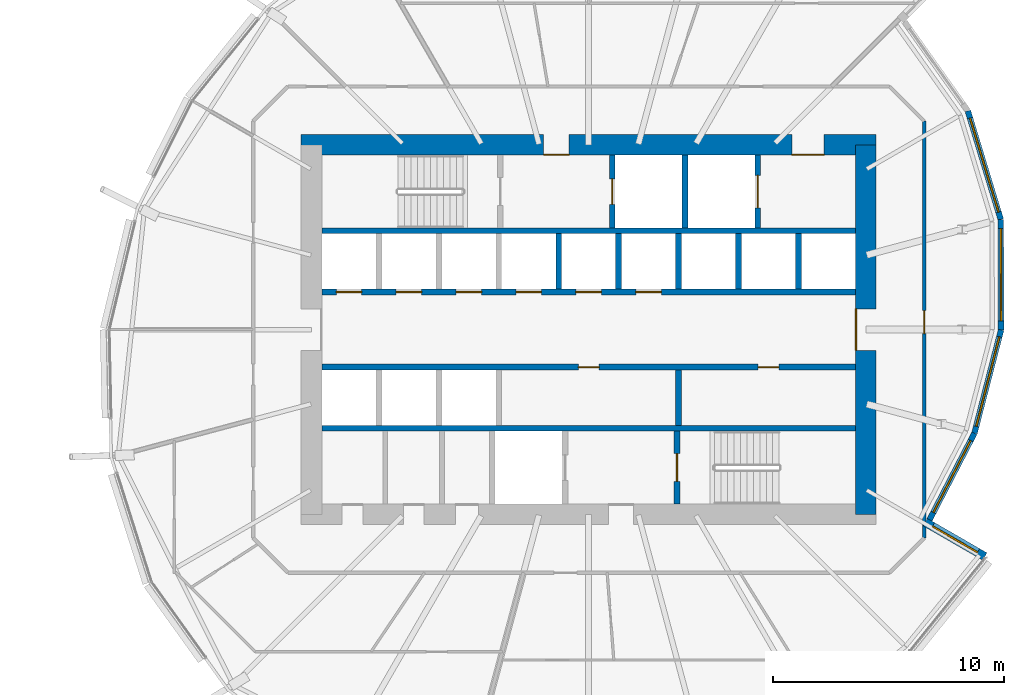
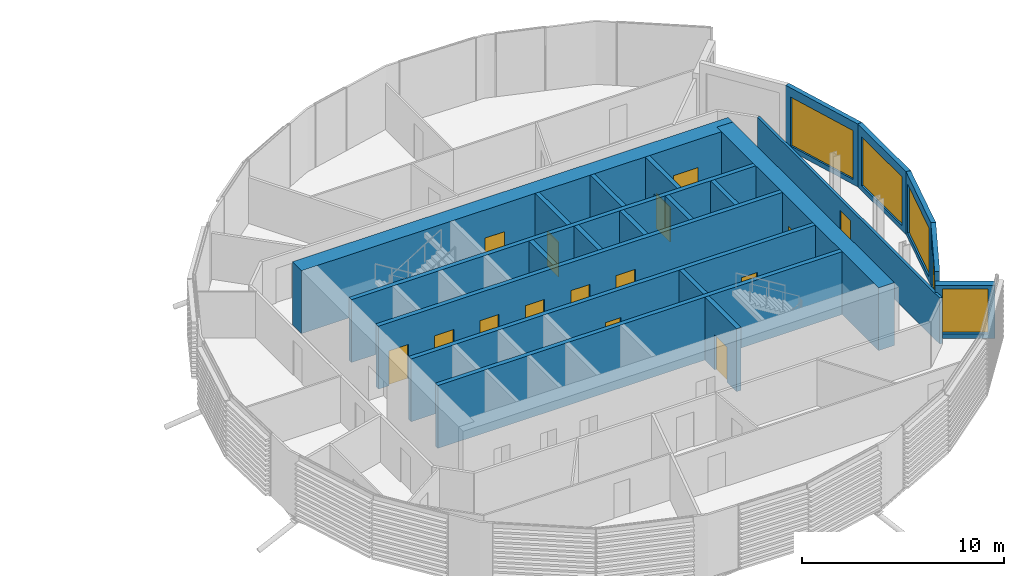
# One storey, part 23 of 36: 22 walls, 15 doors, 5 windows, 20 openings.
"""IFC4 building model written with IfcOpenShell, lengths in metres."""

from ifc_helpers import new_model, si_unit, direction, frame, frame_2d, origin, place, context, subcontext, project, spatial, rectangle, extrude, material, layer, layer_set, type_object, element, fill, save


model = new_model("IFC4")

# Units and contexts
model_context = context("Model", 3, precision=1e-05, world=origin(), true_north=direction((0.0, 1.0)))
body_context = subcontext(model_context, "Body", "Model", "MODEL_VIEW")
ifc_project = project(units=[si_unit("LENGTHUNIT", "METRE"), si_unit("AREAUNIT", "SQUARE_METRE"), si_unit("VOLUMEUNIT", "CUBIC_METRE"), si_unit("PLANEANGLEUNIT", "RADIAN"), si_unit("MASSUNIT", "GRAM", prefix="KILO")], contexts=[model_context])

# Site, building, storey
site_placement = place(None, origin())
site = spatial("IfcSite", under=ifc_project, at=site_placement, CompositionType="ELEMENT")
building_placement = place(site_placement, origin())
building = spatial("IfcBuilding", under=site, at=building_placement, Name="Rimbun Link Towers", CompositionType="ELEMENT")
storey_placement = place(building_placement, frame((0.0, 0.0, 33.800048828125)))
storey = spatial("IfcBuildingStorey", under=building, at=storey_placement, Name="L07", CompositionType="ELEMENT", Elevation=33.800048828125)

# Wall, opening, window
ifc_material_1 = material(Name="Dark enamelled glass spandrel on insulated aluminium backpan", Category="aluminium")
ifc_layer_1 = layer(ifc_material_1, 0.25)
ifc_layer_set_1 = layer_set([ifc_layer_1], Name="CS dark enamelled spandrel wall 250")
wall_type_1 = type_object("IfcWallType", Name="CS dark enamelled spandrel wall 250", PredefinedType="STANDARD", material=ifc_layer_set_1)
wall_1_placement = place(storey_placement, frame((48.45458984375, -4.489501953125, 0.0), z_axis=(0.0, 0.0, 1.0), x_axis=(-0.460198913601, -0.887815836714, 0.0)))
wall_1 = element("IfcWall", 1, at=wall_1_placement, inside=storey, type_object=wall_type_1, Name="Crease spandrel wall", PredefinedType="STANDARD", context=body_context, shape_type="SweptSolid", body=[
    extrude(rectangle(XDim=4.218505859375, YDim=0.25, at=frame_2d((2.109375, 0.0))), origin(), (0.0, 0.0, 1.0), 3.800048828125),
])
opening_1_placement = place(wall_1_placement, frame((0.359375, 0.0, 0.300048828125)))
opening_1 = element("IfcOpeningElement", 2, at=opening_1_placement, cuts=wall_1, Name="Opening WR35H295", PredefinedType="OPENING", context=body_context, shape_type="SweptSolid", body=[
    extrude(rectangle(XDim=3.5, YDim=2.949951171875, at=frame_2d((1.75, 1.47509765625))), frame((0.0, 0.135009765625, 0.0), z_axis=(0.0, -1.0, 0.0), x_axis=(1.0, 0.0, 0.0)), (0.0, 0.0, 1.0), 0.27001953125),
])
ifc_material_2 = material(Name="Aluminium framed fixed window, dark tinted low-e glass", Category="aluminium")
window_type_1 = type_object("IfcWindowType", Name="WR ribbon window 3500X2950", PartitioningType="SINGLE_PANEL", PredefinedType="WINDOW", material=ifc_material_2)
window_1_placement = place(opening_1_placement, origin())
window_1 = element("IfcWindow", 3, at=window_1_placement, inside=storey, type_object=window_type_1, Name="Crease ribbon window", OverallHeight=2.949951171875, OverallWidth=3.5, PartitioningType="SINGLE_PANEL", PredefinedType="WINDOW", context=body_context, shape_type="SweptSolid", body=[
    extrude(rectangle(XDim=3.5, YDim=2.949951171875, at=frame_2d((1.75, 1.47509765625))), frame((0.0, 0.030029296875, 0.0), z_axis=(0.0, -1.0, 0.0), x_axis=(1.0, 0.0, 0.0)), (0.0, 0.0, 1.0), 0.06005859375),
])
fill(opening_1, window_1)

wall_2_placement = place(storey_placement, frame((49.608642578125, -0.015625, 0.0), z_axis=(0.0, 0.0, 1.0), x_axis=(-0.249777337068, -0.968303300566, 0.0)))
wall_2 = element("IfcWall", 4, at=wall_2_placement, inside=storey, type_object=wall_type_1, Name="Crease spandrel wall", PredefinedType="STANDARD", context=body_context, shape_type="SweptSolid", body=[
    extrude(rectangle(XDim=4.620361328125, YDim=0.25, at=frame_2d((2.31005859375, 0.0))), origin(), (0.0, 0.0, 1.0), 3.800048828125),
])
opening_2_placement = place(wall_2_placement, frame((0.31005859375, 0.0, 0.300048828125)))
opening_2 = element("IfcOpeningElement", 5, at=opening_2_placement, cuts=wall_2, Name="Opening WR40H295", PredefinedType="OPENING", context=body_context, shape_type="SweptSolid", body=[
    extrude(rectangle(XDim=4.0, YDim=2.949951171875, at=frame_2d((2.0, 1.47509765625))), frame((0.0, 0.135009765625, 0.0), z_axis=(0.0, -1.0, 0.0), x_axis=(1.0, 0.0, 0.0)), (0.0, 0.0, 1.0), 0.27001953125),
])
ifc_material_3 = material(Name="Aluminium framed fixed window, dark tinted low-e glass", Category="aluminium")
window_type_2 = type_object("IfcWindowType", Name="WR ribbon window 4000X2950", PartitioningType="SINGLE_PANEL", PredefinedType="WINDOW", material=ifc_material_3)
window_2_placement = place(opening_2_placement, origin())
window_2 = element("IfcWindow", 6, at=window_2_placement, inside=storey, type_object=window_type_2, Name="Crease ribbon window", OverallHeight=2.949951171875, OverallWidth=4.0, PartitioningType="SINGLE_PANEL", PredefinedType="WINDOW", context=body_context, shape_type="SweptSolid", body=[
    extrude(rectangle(XDim=4.0, YDim=2.949951171875, at=frame_2d((2.0, 1.47509765625))), frame((0.0, 0.030029296875, 0.0), z_axis=(0.0, -1.0, 0.0), x_axis=(1.0, 0.0, 0.0)), (0.0, 0.0, 1.0), 0.06005859375),
])
fill(opening_2, window_2)

wall_3_placement = place(storey_placement, frame((49.59423828125, 4.7666015625, 0.0), z_axis=(0.0, 0.0, 1.0), x_axis=(0.00301203453, -0.999995463814, 0.0)))
wall_3 = element("IfcWall", 7, at=wall_3_placement, inside=storey, type_object=wall_type_1, Name="Crease spandrel wall", PredefinedType="STANDARD", context=body_context, shape_type="SweptSolid", body=[
    extrude(rectangle(XDim=4.7822265625, YDim=0.25, at=frame_2d((2.39111328125, 0.0))), origin(), (0.0, 0.0, 1.0), 3.800048828125),
])
opening_3_placement = place(wall_3_placement, frame((0.39111328125, 0.0, 0.300048828125)))
opening_3 = element("IfcOpeningElement", 8, at=opening_3_placement, cuts=wall_3, Name="Opening WR40H295", PredefinedType="OPENING", context=body_context, shape_type="SweptSolid", body=[
    extrude(rectangle(XDim=4.0, YDim=2.949951171875, at=frame_2d((2.0, 1.47509765625))), frame((0.0, 0.135009765625, 0.0), z_axis=(0.0, -1.0, 0.0), x_axis=(1.0, 0.0, 0.0)), (0.0, 0.0, 1.0), 0.27001953125),
])
window_3_placement = place(opening_3_placement, origin())
window_3 = element("IfcWindow", 9, at=window_3_placement, inside=storey, type_object=window_type_2, Name="Crease ribbon window", OverallHeight=2.949951171875, OverallWidth=4.0, PartitioningType="SINGLE_PANEL", PredefinedType="WINDOW", context=body_context, shape_type="SweptSolid", body=[
    extrude(rectangle(XDim=4.0, YDim=2.949951171875, at=frame_2d((2.0, 1.47509765625))), frame((0.0, 0.030029296875, 0.0), z_axis=(0.0, -1.0, 0.0), x_axis=(1.0, 0.0, 0.0)), (0.0, 0.0, 1.0), 0.06005859375),
])
fill(opening_3, window_3)

wall_4_placement = place(storey_placement, frame((48.168701171875, 9.469482421875, 0.0), z_axis=(0.0, 0.0, 1.0), x_axis=(0.290085989359, -0.957000584523, 0.0)))
wall_4 = element("IfcWall", 10, at=wall_4_placement, inside=storey, type_object=wall_type_1, Name="Crease spandrel wall", PredefinedType="STANDARD", context=body_context, shape_type="SweptSolid", body=[
    extrude(rectangle(XDim=4.914306640625, YDim=0.25, at=frame_2d((2.45703125, 0.0))), origin(), (0.0, 0.0, 1.0), 3.800048828125),
])
opening_4_placement = place(wall_4_placement, frame((0.33203125, 0.0, 0.300048828125)))
opening_4 = element("IfcOpeningElement", 11, at=opening_4_placement, cuts=wall_4, Name="Opening WR42H295", PredefinedType="OPENING", context=body_context, shape_type="SweptSolid", body=[
    extrude(rectangle(XDim=4.25, YDim=2.949951171875, at=frame_2d((2.125, 1.47509765625))), frame((0.0, 0.135009765625, 0.0), z_axis=(0.0, -1.0, 0.0), x_axis=(1.0, 0.0, 0.0)), (0.0, 0.0, 1.0), 0.27001953125),
])
ifc_material_4 = material(Name="Aluminium framed fixed window, dark tinted low-e glass", Category="aluminium")
window_type_3 = type_object("IfcWindowType", Name="WR ribbon window 4250X2950", PartitioningType="SINGLE_PANEL", PredefinedType="WINDOW", material=ifc_material_4)
window_4_placement = place(opening_4_placement, origin())
window_4 = element("IfcWindow", 12, at=window_4_placement, inside=storey, type_object=window_type_3, Name="Crease ribbon window", OverallHeight=2.949951171875, OverallWidth=4.25, PartitioningType="SINGLE_PANEL", PredefinedType="WINDOW", context=body_context, shape_type="SweptSolid", body=[
    extrude(rectangle(XDim=4.25, YDim=2.949951171875, at=frame_2d((2.125, 1.47509765625))), frame((0.0, 0.030029296875, 0.0), z_axis=(0.0, -1.0, 0.0), x_axis=(1.0, 0.0, 0.0)), (0.0, 0.0, 1.0), 0.06005859375),
])
fill(opening_4, window_4)

ifc_material_5 = material(Name="Dark enamelled glass spandrel on insulated aluminium backpan", Category="aluminium")
ifc_layer_2 = layer(ifc_material_5, 0.3701171875)
ifc_layer_set_2 = layer_set([ifc_layer_2], Name="CS dark enamelled spandrel wall 370")
wall_type_2 = type_object("IfcWallType", Name="CS dark enamelled spandrel wall 370", PredefinedType="STANDARD", material=ifc_layer_set_2)
wall_5_placement = place(storey_placement, frame((46.322265625, -8.338134765625, 0.0), z_axis=(0.0, 0.0, 1.0), x_axis=(0.866031423615, -0.499989573202, 0.0)))
wall_5 = element("IfcWall", 13, at=wall_5_placement, inside=storey, type_object=wall_type_2, Name="Crease spandrel wall", PredefinedType="STANDARD", context=body_context, shape_type="SweptSolid", body=[
    extrude(rectangle(XDim=2.97998046875, YDim=0.3701171875, at=frame_2d((1.489990234375, 0.0))), origin(), (0.0, 0.0, 1.0), 3.2236328125),
])
opening_5_placement = place(wall_5_placement, frame((0.364990234375, 0.0, 0.300048828125)))
opening_5 = element("IfcOpeningElement", 14, at=opening_5_placement, cuts=wall_5, Name="Opening WR22H270", PredefinedType="OPENING", context=body_context, shape_type="SweptSolid", body=[
    extrude(rectangle(XDim=2.25, YDim=2.699951171875, at=frame_2d((1.125, 1.35009765625))), frame((0.0, 0.195068359375, 0.0), z_axis=(0.0, -1.0, 0.0), x_axis=(1.0, 0.0, 0.0)), (0.0, 0.0, 1.0), 0.39013671875),
])
ifc_material_6 = material(Name="Aluminium framed fixed window, dark tinted low-e glass", Category="aluminium")
window_type_4 = type_object("IfcWindowType", Name="WR ribbon window 2250X2700", PartitioningType="SINGLE_PANEL", PredefinedType="WINDOW", material=ifc_material_6)
window_5_placement = place(opening_5_placement, origin())
window_5 = element("IfcWindow", 15, at=window_5_placement, inside=storey, type_object=window_type_4, Name="Crease ribbon window", OverallHeight=2.699951171875, OverallWidth=2.25, PartitioningType="SINGLE_PANEL", PredefinedType="WINDOW", context=body_context, shape_type="SweptSolid", body=[
    extrude(rectangle(XDim=2.25, YDim=2.699951171875, at=frame_2d((1.125, 1.35009765625))), frame((0.0, 0.030029296875, 0.0), z_axis=(0.0, -1.0, 0.0), x_axis=(1.0, 0.0, 0.0)), (0.0, 0.0, 1.0), 0.06005859375),
])
fill(opening_5, window_5)

# Wall, openings, doors
ifc_material_7 = material(Name="Concrete C60/75", Category="concrete")
ifc_layer_3 = layer(ifc_material_7, 0.89990234375)
ifc_layer_set_3 = layer_set([ifc_layer_3], Name="Core shear wall 900")
wall_type_3 = type_object("IfcWallType", Name="Core shear wall 900", PredefinedType="SHEAR", material=ifc_layer_set_3)
wall_6_placement = place(storey_placement, frame((19.300048828125, 8.0, 0.0), z_axis=(0.0, 0.0, 1.0), x_axis=(1.0, 0.0, 0.0)))
wall_6 = element("IfcWall", 16, at=wall_6_placement, inside=storey, type_object=wall_type_3, Name="L07 T2 core wall N", PredefinedType="SHEAR", context=body_context, shape_type="SweptSolid", body=[
    extrude(rectangle(XDim=24.89990234375, YDim=0.89990234375, at=frame_2d((12.449951171875, 0.0))), origin(), (0.0, 0.0, 1.0), 3.800048828125),
])
opening_6_placement = place(wall_6_placement, frame((10.5, 0.0, 0.0)))
opening_6 = element("IfcOpeningElement", 17, at=opening_6_placement, cuts=wall_6, Name="Opening C2DCF01N", PredefinedType="OPENING", context=body_context, shape_type="SweptSolid", body=[
    extrude(rectangle(XDim=1.10009765625, YDim=2.10009765625, at=frame_2d((0.550048828125, 1.050048828125))), frame((0.0, 0.4599609375, 0.0), z_axis=(0.0, -1.0, 0.0), x_axis=(1.0, 0.0, 0.0)), (0.0, 0.0, 1.0), 0.919921875),
])
opening_7_placement = place(wall_6_placement, frame((21.25, 0.0, 0.0)))
opening_7 = element("IfcOpeningElement", 18, at=opening_7_placement, cuts=wall_6, Name="Opening C2DSL02N", PredefinedType="OPENING", context=body_context, shape_type="SweptSolid", body=[
    extrude(rectangle(XDim=1.39990234375, YDim=2.10009765625, at=frame_2d((0.699951171875, 1.050048828125))), frame((0.0, 0.4599609375, 0.0), z_axis=(0.0, -1.0, 0.0), x_axis=(1.0, 0.0, 0.0)), (0.0, 0.0, 1.0), 0.919921875),
])
ifc_material_8 = material(Name="Steel fire door set", Category="steel")
door_type_1 = type_object("IfcDoorType", Name="Core fire door single", OperationType="SINGLE_SWING_LEFT", PredefinedType="DOOR", material=ifc_material_8)
door_1_placement = place(opening_6_placement, origin())
door_1 = element("IfcDoor", 19, at=door_1_placement, inside=storey, type_object=door_type_1, Name="L07 T2 firefighting lobby n door", OperationType="SINGLE_SWING_LEFT", OverallHeight=2.10009765625, OverallWidth=1.10009765625, PredefinedType="DOOR", context=body_context, shape_type="SweptSolid", body=[
    extrude(rectangle(XDim=1.10009765625, YDim=2.10009765625, at=frame_2d((0.550048828125, 1.050048828125))), frame((0.0, -0.39990234375, 0.0), z_axis=(0.0, -1.0, 0.0), x_axis=(1.0, 0.0, 0.0)), (0.0, 0.0, 1.0), 0.050048828125),
])
fill(opening_6, door_1)
ifc_material_9 = material(Name="Steel fire door set", Category="steel")
door_type_2 = type_object("IfcDoorType", Name="Service lobby door double", OperationType="DOUBLE_DOOR_SINGLE_SWING", PredefinedType="DOOR", material=ifc_material_9)
door_2_placement = place(opening_7_placement, origin())
door_2 = element("IfcDoor", 20, at=door_2_placement, inside=storey, type_object=door_type_2, Name="L07 T2 service lobby door", OperationType="DOUBLE_DOOR_SINGLE_SWING", OverallHeight=2.10009765625, OverallWidth=1.39990234375, PredefinedType="DOOR", context=body_context, shape_type="SweptSolid", body=[
    extrude(rectangle(XDim=1.39990234375, YDim=2.10009765625, at=frame_2d((0.699951171875, 1.050048828125))), frame((0.0, -0.39990234375, 0.0), z_axis=(0.0, -1.0, 0.0), x_axis=(1.0, 0.0, 0.0)), (0.0, 0.0, 1.0), 0.050048828125),
])
fill(opening_7, door_2)

# Wall, opening, door
wall_7_placement = place(storey_placement, frame((43.75, -8.0, 0.0), z_axis=(0.0, 0.0, 1.0), x_axis=(0.0, 1.0, 0.0)))
wall_7 = element("IfcWall", 21, at=wall_7_placement, inside=storey, type_object=wall_type_3, Name="L07 T2 core wall E", PredefinedType="SHEAR", context=body_context, shape_type="SweptSolid", body=[
    extrude(rectangle(XDim=16.0, YDim=0.89990234375, at=frame_2d((8.0, 0.0))), origin(), (0.0, 0.0, 1.0), 3.800048828125),
])
opening_8_placement = place(wall_7_placement, frame((7.10009765625, 0.0, 0.0)))
opening_8 = element("IfcOpeningElement", 22, at=opening_8_placement, cuts=wall_7, Name="Opening C2DCL01E", PredefinedType="OPENING", context=body_context, shape_type="SweptSolid", body=[
    extrude(rectangle(XDim=1.800048828125, YDim=2.10009765625, at=frame_2d((0.89990234375, 1.050048828125))), frame((0.0, 0.4599609375, 0.0), z_axis=(0.0, -1.0, 0.0), x_axis=(1.0, 0.0, 0.0)), (0.0, 0.0, 1.0), 0.919921875),
])
ifc_material_10 = material(Name="Steel fire door set", Category="steel")
door_type_3 = type_object("IfcDoorType", Name="Core lobby door double", OperationType="DOUBLE_DOOR_SINGLE_SWING", PredefinedType="DOOR", material=ifc_material_10)
door_3_placement = place(opening_8_placement, origin())
door_3 = element("IfcDoor", 23, at=door_3_placement, inside=storey, type_object=door_type_3, Name="L07 T2 lift lobby door", OperationType="DOUBLE_DOOR_SINGLE_SWING", OverallHeight=2.10009765625, OverallWidth=1.800048828125, PredefinedType="DOOR", context=body_context, shape_type="SweptSolid", body=[
    extrude(rectangle(XDim=1.800048828125, YDim=2.10009765625, at=frame_2d((0.89990234375, 1.050048828125))), frame((0.0, 0.4501953125, 0.0), z_axis=(0.0, -1.0, 0.0), x_axis=(1.0, 0.0, 0.0)), (0.0, 0.0, 1.0), 0.050048828125),
])
fill(opening_8, door_3)

ifc_material_11 = material(Name="Plasterboard on steel stud, mineral wool", Category="steel")
ifc_layer_4 = layer(ifc_material_11, 0.14990234375)
ifc_layer_set_4 = layer_set([ifc_layer_4], Name="Corridor wall EI 30 150 mm")
wall_type_4 = type_object("IfcWallType", Name="Corridor wall EI 30 150 mm", PredefinedType="PARTITIONING", material=ifc_layer_set_4)
wall_8_placement = place(storey_placement, frame((46.27490234375, 9.026611328125, 0.0), z_axis=(0.0, 0.0, 1.0), x_axis=(0.0, -1.0, 0.0)))
wall_8 = element("IfcWall", 24, at=wall_8_placement, inside=storey, type_object=wall_type_4, Name="Corridor wall EI 30 150 mm", PredefinedType="PARTITIONING", context=body_context, shape_type="SweptSolid", body=[
    extrude(rectangle(XDim=18.05322265625, YDim=0.14990234375, at=frame_2d((9.026611328125, 0.0))), origin(), (0.0, 0.0, 1.0), 2.779052734375),
])
opening_9_placement = place(wall_8_placement, frame((8.206298828125, 0.0, 0.0)))
opening_9 = element("IfcOpeningElement", 25, at=opening_9_placement, cuts=wall_8, Name="Opening D01", PredefinedType="OPENING", context=body_context, shape_type="SweptSolid", body=[
    extrude(rectangle(XDim=1.0, YDim=2.10009765625, at=frame_2d((0.5, 1.050048828125))), frame((0.0, 0.0849609375, 0.0), z_axis=(0.0, -1.0, 0.0), x_axis=(1.0, 0.0, 0.0)), (0.0, 0.0, 1.0), 0.169921875),
])
ifc_material_12 = material(Name="Fire-resisting timber door leaf", Category="wood")
door_type_4 = type_object("IfcDoorType", Name="Fire door FD30S 1000", OperationType="NOTDEFINED", PredefinedType="DOOR", material=ifc_material_12)
door_4_placement = place(opening_9_placement, origin())
door_4 = element("IfcDoor", 26, at=door_4_placement, inside=storey, type_object=door_type_4, Name="Fire door FD30S 1000 to Terrace office", OperationType="SINGLE_SWING_RIGHT", OverallHeight=2.10009765625, OverallWidth=1.0, PredefinedType="DOOR", context=body_context, shape_type="SweptSolid", body=[
    extrude(rectangle(XDim=1.0, YDim=2.10009765625, at=frame_2d((0.5, 1.050048828125))), frame((0.0, 0.02490234375, 0.0), z_axis=(0.0, -1.0, 0.0), x_axis=(1.0, 0.0, 0.0)), (0.0, 0.0, 1.0), 0.050048828125),
])
fill(opening_9, door_4)

# Walls
ifc_material_13 = material(Name="Concrete C60/75", Category="concrete")
ifc_layer_5 = layer(ifc_material_13, 0.25)
ifc_layer_set_5 = layer_set([ifc_layer_5], Name="Shaft wall 250")
wall_type_5 = type_object("IfcWallType", Name="Shaft wall 250", PredefinedType="SHEAR", material=ifc_layer_set_5)
for number, where, z_axis, x_axis, name in (
    (27, (20.199951171875, 4.27490234375, 0.0), (0.0, 0.0, 1.0), (1.0, 0.0, 0.0), "L07 T2 core wall BN"),
    (28, (20.199951171875, -4.27490234375, 0.0), (0.0, 0.0, 1.0), (1.0, 0.0, 0.0), "L07 T2 core wall BS"),
):
    element("IfcWall", number, at=place(storey_placement, frame(where, z_axis=z_axis, x_axis=x_axis)), inside=storey, type_object=wall_type_5, Name=name, PredefinedType="SHEAR", context=body_context, shape_type="SweptSolid", body=[
        extrude(rectangle(XDim=23.10009765625, YDim=0.25, at=frame_2d((11.550048828125, 0.0))), origin(), (0.0, 0.0, 1.0), 3.800048828125),
    ])

# Wall, openings, doors
wall_9_placement = place(storey_placement, frame((20.199951171875, 1.625, 0.0), z_axis=(0.0, 0.0, 1.0), x_axis=(1.0, 0.0, 0.0)))
wall_9 = element("IfcWall", 29, at=wall_9_placement, inside=storey, type_object=wall_type_5, Name="L07 T2 core wall FN", PredefinedType="SHEAR", context=body_context, shape_type="SweptSolid", body=[
    extrude(rectangle(XDim=23.10009765625, YDim=0.25, at=frame_2d((11.550048828125, 0.0))), origin(), (0.0, 0.0, 1.0), 3.800048828125),
])
opening_10_placement = place(wall_9_placement, frame((0.622314453125, 0.0, 0.0)))
opening_10 = element("IfcOpeningElement", 30, at=opening_10_placement, cuts=wall_9, Name="Opening LD-T2-LR1", PredefinedType="OPENING", context=body_context, shape_type="SweptSolid", body=[
    extrude(rectangle(XDim=1.10009765625, YDim=2.10009765625, at=frame_2d((0.550048828125, 1.050048828125))), frame((0.0, 0.135009765625, 0.0), z_axis=(0.0, -1.0, 0.0), x_axis=(1.0, 0.0, 0.0)), (0.0, 0.0, 1.0), 0.27001953125),
])
opening_11_placement = place(wall_9_placement, frame((3.216796875, 0.0, 0.0)))
opening_11 = element("IfcOpeningElement", 31, at=opening_11_placement, cuts=wall_9, Name="Opening LD-T2-LR2", PredefinedType="OPENING", context=body_context, shape_type="SweptSolid", body=[
    extrude(rectangle(XDim=1.10009765625, YDim=2.10009765625, at=frame_2d((0.550048828125, 1.050048828125))), frame((0.0, 0.135009765625, 0.0), z_axis=(0.0, -1.0, 0.0), x_axis=(1.0, 0.0, 0.0)), (0.0, 0.0, 1.0), 0.27001953125),
])
opening_12_placement = place(wall_9_placement, frame((5.81103515625, 0.0, 0.0)))
opening_12 = element("IfcOpeningElement", 32, at=opening_12_placement, cuts=wall_9, Name="Opening LD-T2-LR3", PredefinedType="OPENING", context=body_context, shape_type="SweptSolid", body=[
    extrude(rectangle(XDim=1.10009765625, YDim=2.10009765625, at=frame_2d((0.550048828125, 1.050048828125))), frame((0.0, 0.135009765625, 0.0), z_axis=(0.0, -1.0, 0.0), x_axis=(1.0, 0.0, 0.0)), (0.0, 0.0, 1.0), 0.27001953125),
])
opening_13_placement = place(wall_9_placement, frame((8.405517578125, 0.0, 0.0)))
opening_13 = element("IfcOpeningElement", 33, at=opening_13_placement, cuts=wall_9, Name="Opening LD-T2-LR4", PredefinedType="OPENING", context=body_context, shape_type="SweptSolid", body=[
    extrude(rectangle(XDim=1.10009765625, YDim=2.10009765625, at=frame_2d((0.550048828125, 1.050048828125))), frame((0.0, 0.135009765625, 0.0), z_axis=(0.0, -1.0, 0.0), x_axis=(1.0, 0.0, 0.0)), (0.0, 0.0, 1.0), 0.27001953125),
])
opening_14_placement = place(wall_9_placement, frame((11.0, 0.0, 0.0)))
opening_14 = element("IfcOpeningElement", 34, at=opening_14_placement, cuts=wall_9, Name="Opening LD-T2-LR5", PredefinedType="OPENING", context=body_context, shape_type="SweptSolid", body=[
    extrude(rectangle(XDim=1.10009765625, YDim=2.10009765625, at=frame_2d((0.550048828125, 1.050048828125))), frame((0.0, 0.135009765625, 0.0), z_axis=(0.0, -1.0, 0.0), x_axis=(1.0, 0.0, 0.0)), (0.0, 0.0, 1.0), 0.27001953125),
])
opening_15_placement = place(wall_9_placement, frame((13.594482421875, 0.0, 0.0)))
opening_15 = element("IfcOpeningElement", 35, at=opening_15_placement, cuts=wall_9, Name="Opening LD-T2-LR6", PredefinedType="OPENING", context=body_context, shape_type="SweptSolid", body=[
    extrude(rectangle(XDim=1.10009765625, YDim=2.10009765625, at=frame_2d((0.550048828125, 1.050048828125))), frame((0.0, 0.135009765625, 0.0), z_axis=(0.0, -1.0, 0.0), x_axis=(1.0, 0.0, 0.0)), (0.0, 0.0, 1.0), 0.27001953125),
])
ifc_material_14 = material(Name="Stainless steel grade 316", Category="steel")
door_type_5 = type_object("IfcDoorType", Name="Lift landing door", OperationType="DOUBLE_DOOR_SLIDING", PredefinedType="DOOR", material=ifc_material_14)
door_5_placement = place(opening_10_placement, origin())
door_5 = element("IfcDoor", 36, at=door_5_placement, inside=storey, type_object=door_type_5, Name="L07 T2 lift LR1 landing door", OperationType="DOUBLE_DOOR_SLIDING", OverallHeight=2.10009765625, OverallWidth=1.10009765625, PredefinedType="DOOR", context=body_context, shape_type="SweptSolid", body=[
    extrude(rectangle(XDim=1.10009765625, YDim=2.10009765625, at=frame_2d((0.550048828125, 1.050048828125))), frame((0.0, 0.02490234375, 0.0), z_axis=(0.0, -1.0, 0.0), x_axis=(1.0, 0.0, 0.0)), (0.0, 0.0, 1.0), 0.050048828125),
])
fill(opening_10, door_5)
door_6_placement = place(opening_11_placement, origin())
door_6 = element("IfcDoor", 37, at=door_6_placement, inside=storey, type_object=door_type_5, Name="L07 T2 lift LR2 landing door", OperationType="DOUBLE_DOOR_SLIDING", OverallHeight=2.10009765625, OverallWidth=1.10009765625, PredefinedType="DOOR", context=body_context, shape_type="SweptSolid", body=[
    extrude(rectangle(XDim=1.10009765625, YDim=2.10009765625, at=frame_2d((0.550048828125, 1.050048828125))), frame((0.0, 0.02490234375, 0.0), z_axis=(0.0, -1.0, 0.0), x_axis=(1.0, 0.0, 0.0)), (0.0, 0.0, 1.0), 0.050048828125),
])
fill(opening_11, door_6)
door_7_placement = place(opening_12_placement, origin())
door_7 = element("IfcDoor", 38, at=door_7_placement, inside=storey, type_object=door_type_5, Name="L07 T2 lift LR3 landing door", OperationType="DOUBLE_DOOR_SLIDING", OverallHeight=2.10009765625, OverallWidth=1.10009765625, PredefinedType="DOOR", context=body_context, shape_type="SweptSolid", body=[
    extrude(rectangle(XDim=1.10009765625, YDim=2.10009765625, at=frame_2d((0.550048828125, 1.050048828125))), frame((0.0, 0.02490234375, 0.0), z_axis=(0.0, -1.0, 0.0), x_axis=(1.0, 0.0, 0.0)), (0.0, 0.0, 1.0), 0.050048828125),
])
fill(opening_12, door_7)
door_8_placement = place(opening_13_placement, origin())
door_8 = element("IfcDoor", 39, at=door_8_placement, inside=storey, type_object=door_type_5, Name="L07 T2 lift LR4 landing door", OperationType="DOUBLE_DOOR_SLIDING", OverallHeight=2.10009765625, OverallWidth=1.10009765625, PredefinedType="DOOR", context=body_context, shape_type="SweptSolid", body=[
    extrude(rectangle(XDim=1.10009765625, YDim=2.10009765625, at=frame_2d((0.550048828125, 1.050048828125))), frame((0.0, 0.02490234375, 0.0), z_axis=(0.0, -1.0, 0.0), x_axis=(1.0, 0.0, 0.0)), (0.0, 0.0, 1.0), 0.050048828125),
])
fill(opening_13, door_8)
door_9_placement = place(opening_14_placement, origin())
door_9 = element("IfcDoor", 40, at=door_9_placement, inside=storey, type_object=door_type_5, Name="L07 T2 lift LR5 landing door", OperationType="DOUBLE_DOOR_SLIDING", OverallHeight=2.10009765625, OverallWidth=1.10009765625, PredefinedType="DOOR", context=body_context, shape_type="SweptSolid", body=[
    extrude(rectangle(XDim=1.10009765625, YDim=2.10009765625, at=frame_2d((0.550048828125, 1.050048828125))), frame((0.0, 0.02490234375, 0.0), z_axis=(0.0, -1.0, 0.0), x_axis=(1.0, 0.0, 0.0)), (0.0, 0.0, 1.0), 0.050048828125),
])
fill(opening_14, door_9)
door_10_placement = place(opening_15_placement, origin())
door_10 = element("IfcDoor", 41, at=door_10_placement, inside=storey, type_object=door_type_5, Name="L07 T2 lift LR6 landing door", OperationType="DOUBLE_DOOR_SLIDING", OverallHeight=2.10009765625, OverallWidth=1.10009765625, PredefinedType="DOOR", context=body_context, shape_type="SweptSolid", body=[
    extrude(rectangle(XDim=1.10009765625, YDim=2.10009765625, at=frame_2d((0.550048828125, 1.050048828125))), frame((0.0, 0.02490234375, 0.0), z_axis=(0.0, -1.0, 0.0), x_axis=(1.0, 0.0, 0.0)), (0.0, 0.0, 1.0), 0.050048828125),
])
fill(opening_15, door_10)

wall_10_placement = place(storey_placement, frame((20.199951171875, -1.625, 0.0), z_axis=(0.0, 0.0, 1.0), x_axis=(1.0, 0.0, 0.0)))
wall_10 = element("IfcWall", 42, at=wall_10_placement, inside=storey, type_object=wall_type_5, Name="L07 T2 core wall FS", PredefinedType="SHEAR", context=body_context, shape_type="SweptSolid", body=[
    extrude(rectangle(XDim=23.10009765625, YDim=0.25, at=frame_2d((11.550048828125, 0.0))), origin(), (0.0, 0.0, 1.0), 3.800048828125),
])
opening_16_placement = place(wall_10_placement, frame((11.10009765625, 0.0, 0.0)))
opening_16 = element("IfcOpeningElement", 43, at=opening_16_placement, cuts=wall_10, Name="Opening C2DRS01FS", PredefinedType="OPENING", context=body_context, shape_type="SweptSolid", body=[
    extrude(rectangle(XDim=0.89990234375, YDim=2.10009765625, at=frame_2d((0.449951171875, 1.050048828125))), frame((0.0, 0.135009765625, 0.0), z_axis=(0.0, -1.0, 0.0), x_axis=(1.0, 0.0, 0.0)), (0.0, 0.0, 1.0), 0.27001953125),
])
opening_17_placement = place(wall_10_placement, frame((18.88330078125, 0.0, 0.0)))
opening_17 = element("IfcOpeningElement", 44, at=opening_17_placement, cuts=wall_10, Name="Opening C2DRS02FS", PredefinedType="OPENING", context=body_context, shape_type="SweptSolid", body=[
    extrude(rectangle(XDim=0.89990234375, YDim=2.10009765625, at=frame_2d((0.449951171875, 1.050048828125))), frame((0.0, 0.135009765625, 0.0), z_axis=(0.0, -1.0, 0.0), x_axis=(1.0, 0.0, 0.0)), (0.0, 0.0, 1.0), 0.27001953125),
])
ifc_material_15 = material(Name="Steel fire door set", Category="steel")
door_type_6 = type_object("IfcDoorType", Name="Core riser door", OperationType="SINGLE_SWING_LEFT", PredefinedType="DOOR", material=ifc_material_15)
door_11_placement = place(opening_16_placement, origin())
door_11 = element("IfcDoor", 45, at=door_11_placement, inside=storey, type_object=door_type_6, Name="L07 T2 plant room door", OperationType="SINGLE_SWING_LEFT", OverallHeight=2.10009765625, OverallWidth=0.89990234375, PredefinedType="DOOR", context=body_context, shape_type="SweptSolid", body=[
    extrude(rectangle(XDim=0.89990234375, YDim=2.10009765625, at=frame_2d((0.449951171875, 1.050048828125))), frame((0.0, 0.02490234375, 0.0), z_axis=(0.0, -1.0, 0.0), x_axis=(1.0, 0.0, 0.0)), (0.0, 0.0, 1.0), 0.050048828125),
])
fill(opening_16, door_11)
door_12_placement = place(opening_17_placement, origin())
door_12 = element("IfcDoor", 46, at=door_12_placement, inside=storey, type_object=door_type_6, Name="L07 T2 wellness room door", OperationType="SINGLE_SWING_LEFT", OverallHeight=2.10009765625, OverallWidth=0.89990234375, PredefinedType="DOOR", context=body_context, shape_type="SweptSolid", body=[
    extrude(rectangle(XDim=0.89990234375, YDim=2.10009765625, at=frame_2d((0.449951171875, 1.050048828125))), frame((0.0, 0.02490234375, 0.0), z_axis=(0.0, -1.0, 0.0), x_axis=(1.0, 0.0, 0.0)), (0.0, 0.0, 1.0), 0.050048828125),
])
fill(opening_17, door_12)

# Walls
for number, where, z_axis, x_axis, name in (
    (47, (30.452880859375, 1.75, 0.0), (0.0, 0.0, 1.0), (0.0, 1.0, 0.0), "L07 T2 core wall DN3"),
    (48, (33.047119140625, 1.75, 0.0), (0.0, 0.0, 1.0), (0.0, 1.0, 0.0), "L07 T2 core wall DN4"),
    (49, (35.6416015625, 1.75, 0.0), (0.0, 0.0, 1.0), (0.0, 1.0, 0.0), "L07 T2 core wall DN5"),
    (50, (38.236083984375, 1.75, 0.0), (0.0, 0.0, 1.0), (0.0, 1.0, 0.0), "L07 T2 core wall DN6"),
    (51, (40.83056640625, 1.75, 0.0), (0.0, 0.0, 1.0), (0.0, 1.0, 0.0), "L07 T2 core wall DN7"),
    (52, (35.6416015625, -4.14990234375, 0.0), (0.0, 0.0, 1.0), (0.0, 1.0, 0.0), "L07 T2 core wall DS5"),
):
    element("IfcWall", number, at=place(storey_placement, frame(where, z_axis=z_axis, x_axis=x_axis)), inside=storey, type_object=wall_type_5, Name=name, PredefinedType="SHEAR", context=body_context, shape_type="SweptSolid", body=[
        extrude(rectangle(XDim=2.39990234375, YDim=0.25, at=frame_2d((1.199951171875, 0.0))), origin(), (0.0, 0.0, 1.0), 3.800048828125),
    ])

# Wall, opening, door
wall_11_placement = place(storey_placement, frame((32.77490234375, 4.39990234375, 0.0), z_axis=(0.0, 0.0, 1.0), x_axis=(0.0, 1.0, 0.0)))
wall_11 = element("IfcWall", 53, at=wall_11_placement, inside=storey, type_object=wall_type_5, Name="L07 T2 core wall A2", PredefinedType="SHEAR", context=body_context, shape_type="SweptSolid", body=[
    extrude(rectangle(XDim=3.150146484375, YDim=0.25, at=frame_2d((1.5751953125, 0.0))), origin(), (0.0, 0.0, 1.0), 3.800048828125),
])
opening_18_placement = place(wall_11_placement, frame((1.02490234375, 0.0, 0.0)))
opening_18 = element("IfcOpeningElement", 54, at=opening_18_placement, cuts=wall_11, Name="Opening LD-T2-FF1", PredefinedType="OPENING", context=body_context, shape_type="SweptSolid", body=[
    extrude(rectangle(XDim=1.10009765625, YDim=2.10009765625, at=frame_2d((0.550048828125, 1.050048828125))), frame((0.0, 0.135009765625, 0.0), z_axis=(0.0, -1.0, 0.0), x_axis=(1.0, 0.0, 0.0)), (0.0, 0.0, 1.0), 0.27001953125),
])
door_13_placement = place(opening_18_placement, origin())
door_13 = element("IfcDoor", 55, at=door_13_placement, inside=storey, type_object=door_type_5, Name="L07 T2 lift FF1 landing door", OperationType="DOUBLE_DOOR_SLIDING", OverallHeight=2.10009765625, OverallWidth=1.10009765625, PredefinedType="DOOR", context=body_context, shape_type="SweptSolid", body=[
    extrude(rectangle(XDim=1.10009765625, YDim=2.10009765625, at=frame_2d((0.550048828125, 1.050048828125))), frame((0.0, 0.02490234375, 0.0), z_axis=(0.0, -1.0, 0.0), x_axis=(1.0, 0.0, 0.0)), (0.0, 0.0, 1.0), 0.050048828125),
])
fill(opening_18, door_13)

# Wall
wall_12_placement = place(storey_placement, frame((35.925048828125, 4.39990234375, 0.0), z_axis=(0.0, 0.0, 1.0), x_axis=(0.0, 1.0, 0.0)))
element("IfcWall", 56, at=wall_12_placement, inside=storey, type_object=wall_type_5, Name="L07 T2 core wall A3", PredefinedType="SHEAR", context=body_context, shape_type="SweptSolid", body=[
    extrude(rectangle(XDim=3.150146484375, YDim=0.25, at=frame_2d((1.5751953125, 0.0))), origin(), (0.0, 0.0, 1.0), 3.800048828125),
])

# Wall, opening, door
wall_13_placement = place(storey_placement, frame((39.074951171875, 4.39990234375, 0.0), z_axis=(0.0, 0.0, 1.0), x_axis=(0.0, 1.0, 0.0)))
wall_13 = element("IfcWall", 57, at=wall_13_placement, inside=storey, type_object=wall_type_5, Name="L07 T2 core wall A4", PredefinedType="SHEAR", context=body_context, shape_type="SweptSolid", body=[
    extrude(rectangle(XDim=3.150146484375, YDim=0.25, at=frame_2d((1.5751953125, 0.0))), origin(), (0.0, 0.0, 1.0), 3.800048828125),
])
opening_19_placement = place(wall_13_placement, frame((0.875, 0.0, 0.0)))
opening_19 = element("IfcOpeningElement", 58, at=opening_19_placement, cuts=wall_13, Name="Opening LD-T2-GL1", PredefinedType="OPENING", context=body_context, shape_type="SweptSolid", body=[
    extrude(rectangle(XDim=1.39990234375, YDim=2.10009765625, at=frame_2d((0.699951171875, 1.050048828125))), frame((0.0, 0.135009765625, 0.0), z_axis=(0.0, -1.0, 0.0), x_axis=(1.0, 0.0, 0.0)), (0.0, 0.0, 1.0), 0.27001953125),
])
ifc_material_16 = material(Name="Stainless steel grade 316", Category="steel")
door_type_7 = type_object("IfcDoorType", Name="Goods lift landing door", OperationType="DOUBLE_DOOR_SLIDING", PredefinedType="DOOR", material=ifc_material_16)
door_14_placement = place(opening_19_placement, origin())
door_14 = element("IfcDoor", 59, at=door_14_placement, inside=storey, type_object=door_type_7, Name="L07 T2 lift GL1 landing door", OperationType="DOUBLE_DOOR_SLIDING", OverallHeight=2.10009765625, OverallWidth=1.39990234375, PredefinedType="DOOR", context=body_context, shape_type="SweptSolid", body=[
    extrude(rectangle(XDim=1.39990234375, YDim=2.10009765625, at=frame_2d((0.699951171875, 1.050048828125))), frame((0.0, 0.02490234375, 0.0), z_axis=(0.0, -1.0, 0.0), x_axis=(1.0, 0.0, 0.0)), (0.0, 0.0, 1.0), 0.050048828125),
])
fill(opening_19, door_14)

wall_14_placement = place(storey_placement, frame((35.574951171875, -4.39990234375, 0.0), z_axis=(0.0, 0.0, 1.0), x_axis=(0.0, -1.0, 0.0)))
wall_14 = element("IfcWall", 60, at=wall_14_placement, inside=storey, type_object=wall_type_5, Name="L07 T2 core wall B1", PredefinedType="SHEAR", context=body_context, shape_type="SweptSolid", body=[
    extrude(rectangle(XDim=3.150146484375, YDim=0.25, at=frame_2d((1.5751953125, 0.0))), origin(), (0.0, 0.0, 1.0), 3.800048828125),
])
opening_20_placement = place(wall_14_placement, frame((0.97509765625, 0.0, 0.0)))
opening_20 = element("IfcOpeningElement", 61, at=opening_20_placement, cuts=wall_14, Name="Opening C2DST01B1", PredefinedType="OPENING", context=body_context, shape_type="SweptSolid", body=[
    extrude(rectangle(XDim=1.199951171875, YDim=2.10009765625, at=frame_2d((0.60009765625, 1.050048828125))), frame((0.0, 0.135009765625, 0.0), z_axis=(0.0, -1.0, 0.0), x_axis=(1.0, 0.0, 0.0)), (0.0, 0.0, 1.0), 0.27001953125),
])
ifc_material_17 = material(Name="Steel fire door set", Category="steel")
door_type_8 = type_object("IfcDoorType", Name="Stair door", OperationType="SINGLE_SWING_LEFT", PredefinedType="DOOR", material=ifc_material_17)
door_15_placement = place(opening_20_placement, origin())
door_15 = element("IfcDoor", 62, at=door_15_placement, inside=storey, type_object=door_type_8, Name="L07 T2 stair b door", OperationType="SINGLE_SWING_RIGHT", OverallHeight=2.10009765625, OverallWidth=1.199951171875, PredefinedType="DOOR", context=body_context, shape_type="SweptSolid", body=[
    extrude(rectangle(XDim=1.199951171875, YDim=2.10009765625, at=frame_2d((0.60009765625, 1.050048828125))), frame((0.0, 0.02490234375, 0.0), z_axis=(0.0, -1.0, 0.0), x_axis=(1.0, 0.0, 0.0)), (0.0, 0.0, 1.0), 0.050048828125),
])
fill(opening_20, door_15)

save(model, "model.ifc")
